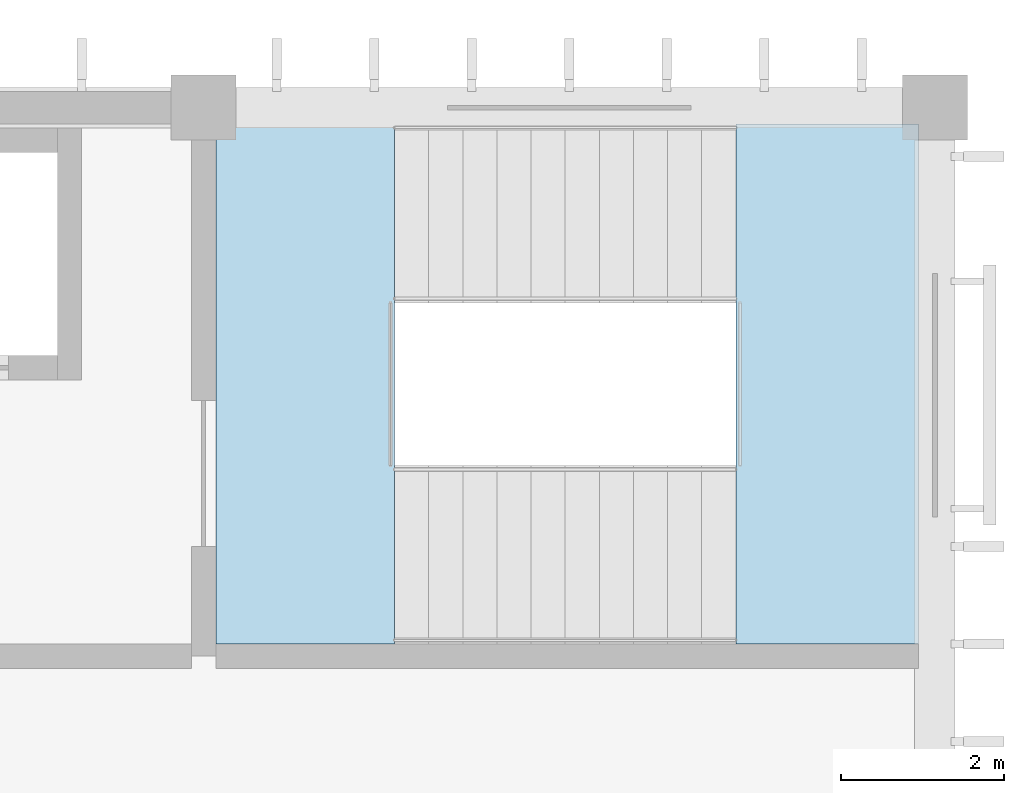
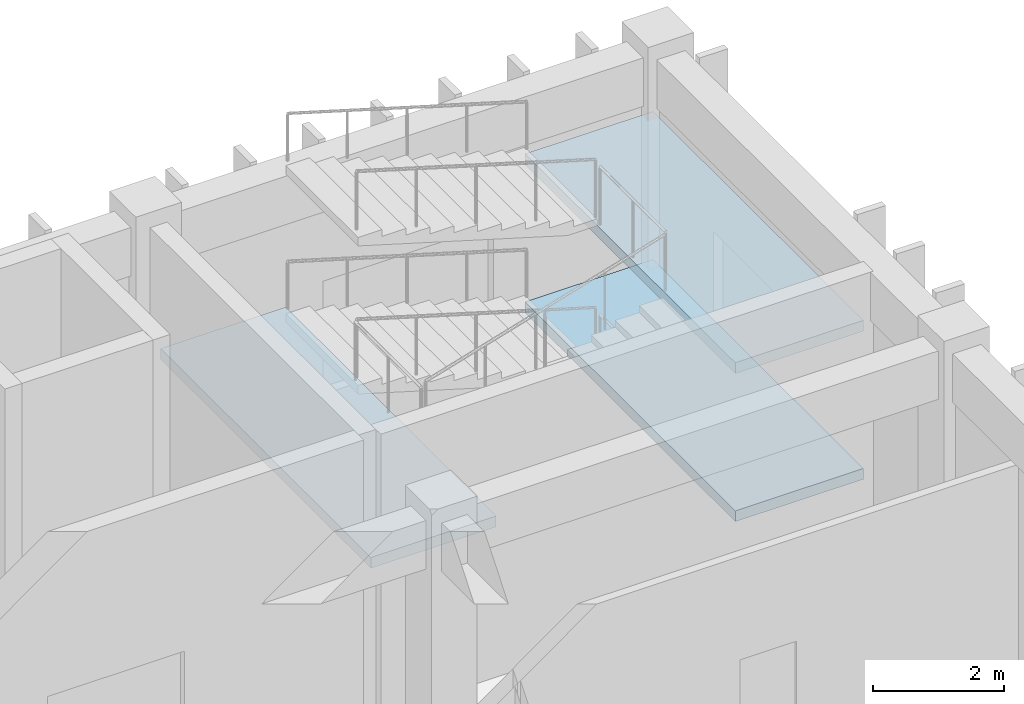
# One storey, part 250 of 437: 3 slabs, 1 element without a shape of its own.
"""IFC4 building model written with IfcOpenShell, lengths in metres."""

import ifcopenshell
import ifcopenshell.guid

model = None  # the IFC model being written
_history = None  # IfcOwnerHistory: only IFC2X3 demands one
_inside = {}  # id of a spatial element -> (the spatial element, [elements in it])
_under = {}  # id of a project, library or spatial element -> (it, [spatial elements below it])
_declared = {}  # id of a project -> (the project, [libraries it declares])
_typed = {}  # id of a type object -> (the type object, [elements of that type])
_made_of = {}  # id of a material, layer set ... -> (it, [elements and type objects made of it])


def new_model(schema):
    """Start an empty IFC model of exactly this schema.

    Asked for "IFC4X3", IfcOpenShell would pick the latest addendum, in which some entities
    have other attributes; the version numbers below select the first issue.
    IFC2X3 requires an IfcOwnerHistory on every rooted entity: one is made here for all.
    """
    global model, _history
    if schema == "IFC4X3":
        model = ifcopenshell.file(schema_version=(4, 3, 0, 0))
    else:
        model = ifcopenshell.file(schema=schema)
    _inside.clear()
    _under.clear()
    _declared.clear()
    _typed.clear()
    _made_of.clear()
    _history = None
    if model.schema == "IFC2X3":
        org = make("IfcOrganization", Name="unknown")
        user = make(
            "IfcPersonAndOrganization",
            ThePerson=make("IfcPerson", FamilyName="unknown"),
            TheOrganization=org,
        )
        app = make(
            "IfcApplication",
            ApplicationDeveloper=org,
            Version="unknown",
            ApplicationFullName="unknown",
            ApplicationIdentifier="unknown",
        )
        _history = make(
            "IfcOwnerHistory",
            OwningUser=user,
            OwningApplication=app,
            ChangeAction="ADDED",
            CreationDate=0,
        )
    return model


def make(cls, **values):
    """One entity of the class cls with the attributes given. An attribute that is None is left unset."""
    return model.create_entity(
        cls, **{name: value for name, value in values.items() if value is not None}
    )


def rooted(cls, **values):
    """An entity with a GlobalId (a new one), such as an element, a storey or a relation."""
    return make(cls, GlobalId=ifcopenshell.guid.new(), OwnerHistory=_history, **values)


def si_unit(unit_type, name, prefix=None):
    """IfcSIUnit, for example si_unit("LENGTHUNIT", "METRE", prefix="MILLI")."""
    return make("IfcSIUnit", UnitType=unit_type, Prefix=prefix, Name=name)


def assignment(units):
    """IfcUnitAssignment: the units of a project."""
    return None if units is None else make("IfcUnitAssignment", Units=units)


def point(xyz):
    """IfcCartesianPoint."""
    return None if xyz is None else make("IfcCartesianPoint", Coordinates=xyz)


def direction(xyz):
    """IfcDirection."""
    return None if xyz is None else make("IfcDirection", DirectionRatios=xyz)


def frame(location, z_axis=None, x_axis=None):
    """IfcAxis2Placement3D, a coordinate frame: its origin and axes. An axis left out is left unset."""
    return make(
        "IfcAxis2Placement3D",
        Location=point(location),
        Axis=direction(z_axis),
        RefDirection=direction(x_axis),
    )


def origin():
    """The frame at (0, 0, 0) with its axes left unset."""
    return frame((0.0, 0.0, 0.0))


def place(relative_to, where):
    """IfcLocalPlacement: puts the frame where relative to a parent placement (None: the world)."""
    return make(
        "IfcLocalPlacement", PlacementRelTo=relative_to, RelativePlacement=where
    )


def context(
    kind, dimensions, precision=None, world=None, true_north=None, identifier=None
):
    """IfcGeometricRepresentationContext, for example the 3D "Model" context."""
    return make(
        "IfcGeometricRepresentationContext",
        ContextIdentifier=identifier,
        ContextType=kind,
        CoordinateSpaceDimension=dimensions,
        Precision=precision,
        WorldCoordinateSystem=world,
        TrueNorth=true_north,
    )


def subcontext(parent, identifier, kind, view, scale=None):
    """IfcGeometricRepresentationSubContext, for example "Body" below "Model"."""
    return make(
        "IfcGeometricRepresentationSubContext",
        ContextIdentifier=identifier,
        ContextType=kind,
        ParentContext=parent,
        TargetScale=scale,
        TargetView=view,
    )


def project(units=None, contexts=None):
    """IfcProject with its units and contexts."""
    return rooted(
        "IfcProject",
        Name="project",
        RepresentationContexts=contexts,
        UnitsInContext=assignment(units),
    )


def spatial(cls, under=None, at=None, **own):
    """A site, building, storey or space (cls), placed at a placement, below another one or the project."""
    s = rooted(cls, ObjectPlacement=at, **own)
    if under is not None:
        _under.setdefault(under.id(), (under, []))[1].append(s)
    return s


def polyline(points):
    """IfcPolyline through the points."""
    return make("IfcPolyline", Points=[point(p) for p in points])


def outline(outer, holes=None, kind="AREA"):
    """IfcArbitraryClosedProfileDef: a profile drawn as a closed curve; with holes, ...WithVoids."""
    if holes is None:
        return make("IfcArbitraryClosedProfileDef", ProfileType=kind, OuterCurve=outer)
    return make(
        "IfcArbitraryProfileDefWithVoids",
        ProfileType=kind,
        OuterCurve=outer,
        InnerCurves=holes,
    )


def extrude(swept, where, along, depth):
    """IfcExtrudedAreaSolid: the profile swept, set in the frame where, extruded along a direction by depth."""
    return make(
        "IfcExtrudedAreaSolid",
        SweptArea=swept,
        Position=where,
        ExtrudedDirection=direction(along),
        Depth=depth,
    )


def shape(context_of_items, identifier, shape_type, items):
    """IfcShapeRepresentation: the items that make up one representation, for example the "Body"."""
    return make(
        "IfcShapeRepresentation",
        ContextOfItems=context_of_items,
        RepresentationIdentifier=identifier,
        RepresentationType=shape_type,
        Items=items,
    )


def material(Name=None, Category=None):
    """IfcMaterial."""
    return make("IfcMaterial", Name=Name, Category=Category)


def layer(
    of_material, thickness, ventilated=None, Name=None, Category=None, Priority=None
):
    """IfcMaterialLayer: one layer of a wall or slab, of a material (None: an air gap)."""
    return make(
        "IfcMaterialLayer",
        Material=of_material,
        LayerThickness=thickness,
        IsVentilated=ventilated,
        Name=Name,
        Category=Category,
        Priority=Priority,
    )


def layer_set(layers, Name=None):
    """IfcMaterialLayerSet."""
    return make("IfcMaterialLayerSet", MaterialLayers=layers, LayerSetName=Name)


def made_of(thing, what):
    """Note that an element or type object is made of a material, layer set ...; save() writes the relation."""
    if what is not None:
        _made_of.setdefault(what.id(), (what, []))[1].append(thing)
    return thing


def type_object(cls, material=None, **own):
    """A type object (cls), such as IfcWallType, which elements share."""
    return made_of(rooted(cls, **own), material)


def element(
    cls,
    number,
    at=None,
    inside=None,
    cuts=None,
    type_object=None,
    material=None,
    context=None,
    identifier="Body",
    shape_type=None,
    held_by="IfcProductDefinitionShape",
    body=None,
    shapes=None,
    **own,
):
    """One element of the class cls, such as IfcWall. Its Tag is "e" and its number.

    at: its placement. inside: the storey or other place that contains it. cuts: it is an
    opening in that element (IfcRelVoidsElement). A single representation is given by context,
    identifier, shape_type and body (its items); several are given by shapes. held_by: the class
    of the entity that holds the representations. save() writes the other relations.
    """
    e = rooted(cls, Tag="e%d" % number, ObjectPlacement=at, **own)
    if body is not None:
        shapes = [shape(context, identifier, shape_type, body)]
    if shapes is not None:
        e.Representation = make(held_by, Representations=shapes)
    if inside is not None:
        _inside.setdefault(inside.id(), (inside, []))[1].append(e)
    if cuts is not None:
        rooted(
            "IfcRelVoidsElement", RelatingBuildingElement=cuts, RelatedOpeningElement=e
        )
    if type_object is not None:
        _typed.setdefault(type_object.id(), (type_object, []))[1].append(e)
    return made_of(e, material)


def aggregate(whole, parts):
    """IfcRelAggregates: a whole, such as a stair, and the parts it consists of."""
    return rooted("IfcRelAggregates", RelatingObject=whole, RelatedObjects=parts)


def save(model, path):
    """Write the relations noted so far, then the file.

    IfcRelAggregates (storeys below a building ...), IfcRelContainedInSpatialStructure (elements
    in a storey), IfcRelDefinesByType, IfcRelAssociatesMaterial and IfcRelDeclares: one each for
    every whole, place, type object, material and project.
    """
    for whole, parts in _under.values():
        aggregate(whole, parts)
    for where, things in _inside.values():
        rooted(
            "IfcRelContainedInSpatialStructure",
            RelatedElements=things,
            RelatingStructure=where,
        )
    for kind, things in _typed.values():
        rooted("IfcRelDefinesByType", RelatedObjects=things, RelatingType=kind)
    for what, things in _made_of.values():
        rooted("IfcRelAssociatesMaterial", RelatedObjects=things, RelatingMaterial=what)
    for by, libraries in _declared.values():
        rooted("IfcRelDeclares", RelatingContext=by, RelatedDefinitions=libraries)
    model.write(path)


model = new_model("IFC4")

# Units and contexts
model_context = context("Model", 3, precision=1e-05, world=origin(), true_north=direction((0.0, 1.0)))
body_context = subcontext(model_context, "Body", "Model", "MODEL_VIEW")
ifc_project = project(units=[si_unit("LENGTHUNIT", "METRE"), si_unit("AREAUNIT", "SQUARE_METRE"), si_unit("VOLUMEUNIT", "CUBIC_METRE"), si_unit("PLANEANGLEUNIT", "RADIAN"), si_unit("MASSUNIT", "GRAM", prefix="KILO")], contexts=[model_context])

# Site, building, storey
site_placement = place(None, origin())
site = spatial("IfcSite", under=ifc_project, at=site_placement, CompositionType="ELEMENT")
building_placement = place(site_placement, origin())
building = spatial("IfcBuilding", under=site, at=building_placement, Name="Opaline Strait Convention Centre", CompositionType="ELEMENT")
storey_placement = place(building_placement, frame((0.0, 0.0, 11.5)))
storey = spatial("IfcBuildingStorey", under=building, at=storey_placement, Name="L02", CompositionType="ELEMENT", Elevation=11.5)

# Stair, slabs
ifc_material = material(Name="Concrete C40", Category="concrete")
stair_type = type_object("IfcStairType", Name="Escape stair half-turn 2200 concrete C40", PredefinedType="HALF_TURN_STAIR", material=ifc_material)
stair_placement = place(storey_placement, origin())
stair = element("IfcStair", 1, at=stair_placement, inside=storey, type_object=stair_type, Name="L02 Stair S7-MTG", ObjectType="MST1", PredefinedType="HALF_TURN_STAIR")
ifc_layer = layer(ifc_material, 0.199951171875)
ifc_layer_set = layer_set([ifc_layer], Name="Concrete C40")
slab_type = type_object("IfcSlabType", Name="Stair landing 200 concrete C40", PredefinedType="LANDING", material=ifc_layer_set)
slab_1_placement = place(storey_placement, frame((0.0, 0.0, 1.175048828125)))
slab_1 = element("IfcSlab", 2, at=slab_1_placement, type_object=slab_type, Name="S7 landing 1", ObjectType="MSL1", PredefinedType="LANDING", context=body_context, shape_type="SweptSolid", body=[
    extrude(outline(polyline([(357.5498046875, 173.39990234375), (359.7998046875, 173.39990234375), (359.7998046875, 179.7998046875), (357.5498046875, 179.7998046875), (357.5498046875, 173.39990234375)])), origin(), (0.0, 0.0, 1.0), 0.199951171875),
])
slab_2_placement = place(storey_placement, frame((0.0, 0.0, 2.550048828125)))
slab_2 = element("IfcSlab", 3, at=slab_2_placement, type_object=slab_type, Name="S7 landing 2", ObjectType="MSL1", PredefinedType="LANDING", context=body_context, shape_type="SweptSolid", body=[
    extrude(outline(polyline([(351.14990234375, 173.39990234375), (353.349853515625, 173.39990234375), (353.349853515625, 179.7998046875), (351.14990234375, 179.7998046875), (351.14990234375, 173.39990234375)])), origin(), (0.0, 0.0, 1.0), 0.199951171875),
])
slab_3_placement = place(storey_placement, frame((0.0, 0.0, 3.925048828125)))
slab_3 = element("IfcSlab", 4, at=slab_3_placement, type_object=slab_type, Name="S7 landing 3", ObjectType="MSL1", PredefinedType="LANDING", context=body_context, shape_type="SweptSolid", body=[
    extrude(outline(polyline([(357.5498046875, 173.39990234375), (359.7998046875, 173.39990234375), (359.7998046875, 179.7998046875), (357.5498046875, 179.7998046875), (357.5498046875, 173.39990234375)])), origin(), (0.0, 0.0, 1.0), 0.199951171875),
])
aggregate(stair, [slab_1, slab_2, slab_3])

save(model, "model.ifc")
